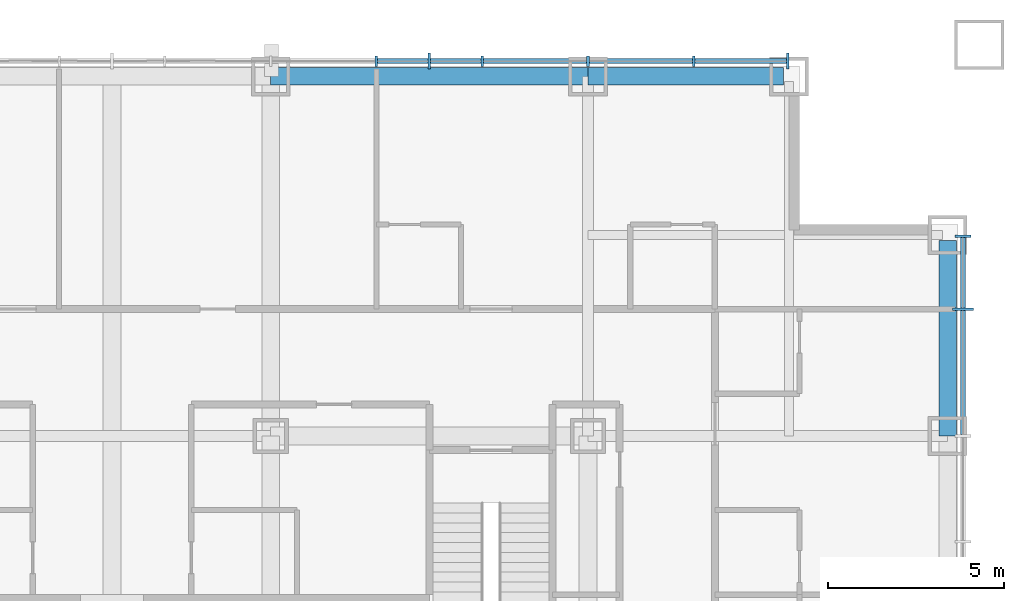
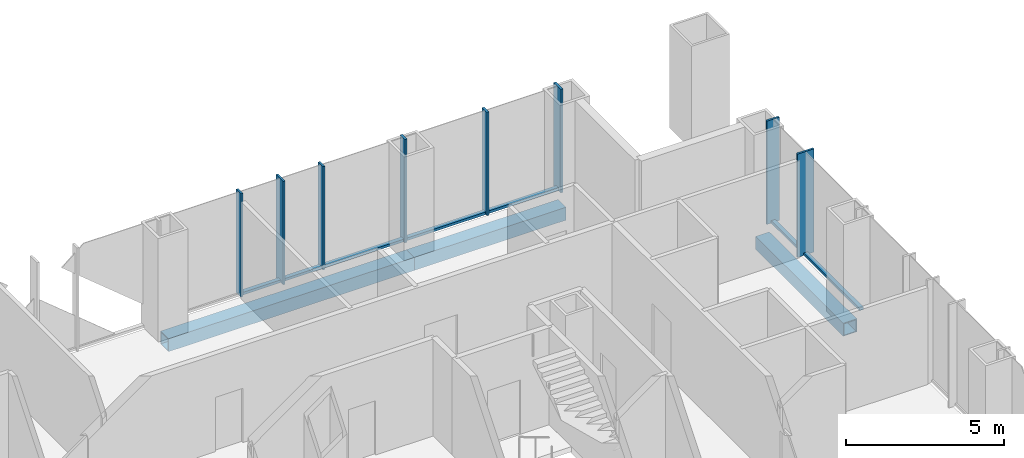
# One storey, part 6 of 16: 15 members, 3 beams, 2 elements without a shape of their own.
"""IFC4 building model written with IfcOpenShell, lengths in metres."""

from ifc_helpers import new_model, si_unit, direction, frame, origin, origin_2d, place, context, subcontext, project, spatial, rectangle, hollow_rectangle, extrude, material, layer, layer_set, material_profile, profile_set, type_object, element, aggregate, save


model = new_model("IFC4")

# Units and contexts
model_context = context("Model", 3, precision=1e-05, world=origin(), true_north=direction((0.0, 1.0)))
body_context = subcontext(model_context, "Body", "Model", "MODEL_VIEW")
ifc_project = project(units=[si_unit("LENGTHUNIT", "METRE"), si_unit("AREAUNIT", "SQUARE_METRE"), si_unit("VOLUMEUNIT", "CUBIC_METRE"), si_unit("PLANEANGLEUNIT", "RADIAN"), si_unit("MASSUNIT", "GRAM", prefix="KILO")], contexts=[model_context])

# Site, building, storey
site_placement = place(None, origin())
site = spatial("IfcSite", under=ifc_project, at=site_placement, CompositionType="ELEMENT")
building_placement = place(site_placement, origin())
building = spatial("IfcBuilding", under=site, at=building_placement, Name="Malebo Sky Hospital", CompositionType="ELEMENT")
storey_placement = place(building_placement, frame((0.0, 0.0, 116.0)))
storey = spatial("IfcBuildingStorey", under=building, at=storey_placement, Name="L27", CompositionType="ELEMENT", Elevation=116.0)

# Curtain wall, members
ifc_material_1 = material(Name="Anodised aluminium, natural silver", Category="aluminium")
ifc_layer_1 = layer(ifc_material_1, 0.25)
ifc_layer_set_1 = layer_set([ifc_layer_1], Name="WARD CURTAIN WALL NORTH AND SOUTH")
curtain_wall_type_1 = type_object("IfcCurtainWallType", Name="WARD CURTAIN WALL NORTH AND SOUTH", PredefinedType="NOTDEFINED", material=ifc_layer_set_1)
curtain_wall_1_placement = place(storey_placement, origin())
curtain_wall_1 = element("IfcCurtainWall", 1, at=curtain_wall_1_placement, inside=storey, type_object=curtain_wall_type_1, Name="NS curtain wall N", PredefinedType="NOTDEFINED")
ifc_material_profile_1 = material_profile(ifc_material_1, rectangle(XDim=0.14990234375, YDim=0.10009765625, at=origin_2d()), Name="ALUMINIUM TRANSOM 150x100")
ifc_profile_set_1 = profile_set([ifc_material_profile_1], Name="Anodised aluminium, natural silver")
member_type_1 = type_object("IfcMemberType", Name="ALUMINIUM TRANSOM 150x100", PredefinedType="USERDEFINED", material=ifc_profile_set_1)
member_1_placement = place(storey_placement, frame((67.53759765625, 86.135009765625, 0.050048828125), z_axis=(1.0, 0.0, 0.0), x_axis=(0.0, 1.0, 0.0)))
member_1 = element("IfcMember", 2, at=member_1_placement, type_object=member_type_1, Name="Transom 13", ObjectType="TRANSOM", PredefinedType="USERDEFINED", context=body_context, shape_type="SweptSolid", body=[
    extrude(rectangle(XDim=0.14990234375, YDim=0.10009765625, at=origin_2d()), origin(), (0.0, 0.0, 1.0), 1.4248046875),
])
member_2_placement = place(storey_placement, frame((69.03759765625, 86.135009765625, 0.050048828125), z_axis=(1.0, 0.0, 0.0), x_axis=(0.0, 1.0, 0.0)))
member_2 = element("IfcMember", 3, at=member_2_placement, type_object=member_type_1, Name="Transom 14", ObjectType="TRANSOM", PredefinedType="USERDEFINED", context=body_context, shape_type="SweptSolid", body=[
    extrude(rectangle(XDim=0.14990234375, YDim=0.10009765625, at=origin_2d()), origin(), (0.0, 0.0, 1.0), 1.4248046875),
])
member_3_placement = place(storey_placement, frame((70.53759765625, 86.135009765625, 0.050048828125), z_axis=(1.0, 0.0, 0.0), x_axis=(0.0, 1.0, 0.0)))
member_3 = element("IfcMember", 4, at=member_3_placement, type_object=member_type_1, Name="Transom 15", ObjectType="TRANSOM", PredefinedType="USERDEFINED", context=body_context, shape_type="SweptSolid", body=[
    extrude(rectangle(XDim=0.14990234375, YDim=0.10009765625, at=origin_2d()), origin(), (0.0, 0.0, 1.0), 2.9248046875),
])
member_4_placement = place(storey_placement, frame((73.53759765625, 86.135009765625, 0.050048828125), z_axis=(1.0, 0.0, 0.0), x_axis=(0.0, 1.0, 0.0)))
member_4 = element("IfcMember", 5, at=member_4_placement, type_object=member_type_1, Name="Transom 16", ObjectType="TRANSOM", PredefinedType="USERDEFINED", context=body_context, shape_type="SweptSolid", body=[
    extrude(rectangle(XDim=0.14990234375, YDim=0.10009765625, at=origin_2d()), origin(), (0.0, 0.0, 1.0), 2.9248046875),
])
member_5_placement = place(storey_placement, frame((76.53759765625, 86.135009765625, 0.050048828125), z_axis=(1.0, 0.0, 0.0), x_axis=(0.0, 1.0, 0.0)))
member_5 = element("IfcMember", 6, at=member_5_placement, type_object=member_type_1, Name="Transom 17", ObjectType="TRANSOM", PredefinedType="USERDEFINED", context=body_context, shape_type="SweptSolid", body=[
    extrude(rectangle(XDim=0.14990234375, YDim=0.10009765625, at=origin_2d()), origin(), (0.0, 0.0, 1.0), 2.58740234375),
])

ifc_layer_2 = layer(ifc_material_1, 0.25)
ifc_layer_set_2 = layer_set([ifc_layer_2], Name="WARD CURTAIN WALL EAST AND WEST")
curtain_wall_type_2 = type_object("IfcCurtainWallType", Name="WARD CURTAIN WALL EAST AND WEST", PredefinedType="NOTDEFINED", material=ifc_layer_set_2)
curtain_wall_2_placement = place(storey_placement, origin())
curtain_wall_2 = element("IfcCurtainWall", 7, at=curtain_wall_2_placement, inside=storey, type_object=curtain_wall_type_2, Name="EW curtain wall E", PredefinedType="NOTDEFINED")
member_6_placement = place(storey_placement, frame((84.135009765625, 81.125, 0.050048828125), z_axis=(0.0, -1.0, 0.0), x_axis=(1.0, 0.0, 0.0)))
member_6 = element("IfcMember", 8, at=member_6_placement, type_object=member_type_1, Name="Transom 1", ObjectType="TRANSOM", PredefinedType="USERDEFINED", context=body_context, shape_type="SweptSolid", body=[
    extrude(rectangle(XDim=0.14990234375, YDim=0.10009765625, at=origin_2d()), origin(), (0.0, 0.0, 1.0), 1.987548828125),
])
member_7_placement = place(storey_placement, frame((84.135009765625, 79.0625, 0.050048828125), z_axis=(0.0, -1.0, 0.0), x_axis=(1.0, 0.0, 0.0)))
member_7 = element("IfcMember", 9, at=member_7_placement, type_object=member_type_1, Name="Transom 2", ObjectType="TRANSOM", PredefinedType="USERDEFINED", context=body_context, shape_type="SweptSolid", body=[
    extrude(rectangle(XDim=0.14990234375, YDim=0.10009765625, at=origin_2d()), origin(), (0.0, 0.0, 1.0), 3.52490234375),
])

# Member
ifc_material_profile_2 = material_profile(ifc_material_1, rectangle(XDim=0.074951171875, YDim=0.300048828125, at=origin_2d()), Name="CW1 ALUMINIUM FIN MULLION 75x300")
ifc_profile_set_2 = profile_set([ifc_material_profile_2], Name="Anodised aluminium, natural silver")
member_type_2 = type_object("IfcMemberType", Name="CW1 ALUMINIUM FIN MULLION 75x300", PredefinedType="MULLION", material=ifc_profile_set_2)
member_8_placement = place(storey_placement, frame((67.5, 86.135009765625, 0.0), z_axis=(0.0, 0.0, 1.0), x_axis=(1.0, 0.0, 0.0)))
member_8 = element("IfcMember", 10, at=member_8_placement, type_object=member_type_2, Name="Fin mullion 13", PredefinedType="MULLION", context=body_context, shape_type="SweptSolid", body=[
    extrude(rectangle(XDim=0.074951171875, YDim=0.300048828125, at=origin_2d()), origin(), (0.0, 0.0, 1.0), 4.0),
])

member_9_placement = place(storey_placement, frame((70.5, 86.135009765625, 0.0), z_axis=(0.0, 0.0, 1.0), x_axis=(1.0, 0.0, 0.0)))
member_9 = element("IfcMember", 11, at=member_9_placement, type_object=member_type_2, Name="Fin mullion 15", PredefinedType="MULLION", context=body_context, shape_type="SweptSolid", body=[
    extrude(rectangle(XDim=0.074951171875, YDim=0.300048828125, at=origin_2d()), origin(), (0.0, 0.0, 1.0), 4.0),
])

member_10_placement = place(storey_placement, frame((73.5, 86.135009765625, 0.0), z_axis=(0.0, 0.0, 1.0), x_axis=(1.0, 0.0, 0.0)))
member_10 = element("IfcMember", 12, at=member_10_placement, type_object=member_type_2, Name="Fin mullion 16", PredefinedType="MULLION", context=body_context, shape_type="SweptSolid", body=[
    extrude(rectangle(XDim=0.074951171875, YDim=0.300048828125, at=origin_2d()), origin(), (0.0, 0.0, 1.0), 4.0),
])

member_11_placement = place(storey_placement, frame((76.5, 86.135009765625, 0.0), z_axis=(0.0, 0.0, 1.0), x_axis=(1.0, 0.0, 0.0)))
member_11 = element("IfcMember", 13, at=member_11_placement, type_object=member_type_2, Name="Fin mullion 17", PredefinedType="MULLION", context=body_context, shape_type="SweptSolid", body=[
    extrude(rectangle(XDim=0.074951171875, YDim=0.300048828125, at=origin_2d()), origin(), (0.0, 0.0, 1.0), 4.0),
])

ifc_material_profile_3 = material_profile(ifc_material_1, rectangle(XDim=0.074951171875, YDim=0.449951171875, at=origin_2d()), Name="CW1 ALUMINIUM FIN MULLION 75x450")
ifc_profile_set_3 = profile_set([ifc_material_profile_3], Name="Anodised aluminium, natural silver")
member_type_3 = type_object("IfcMemberType", Name="CW1 ALUMINIUM FIN MULLION 75x450", PredefinedType="MULLION", material=ifc_profile_set_3)
member_12_placement = place(storey_placement, frame((69.0, 86.135009765625, 0.0), z_axis=(0.0, 0.0, 1.0), x_axis=(1.0, 0.0, 0.0)))
member_12 = element("IfcMember", 14, at=member_12_placement, type_object=member_type_3, Name="Fin mullion 14", PredefinedType="MULLION", context=body_context, shape_type="SweptSolid", body=[
    extrude(rectangle(XDim=0.074951171875, YDim=0.449951171875, at=origin_2d()), origin(), (0.0, 0.0, 1.0), 4.0),
])

member_13_placement = place(storey_placement, frame((79.16259765625, 86.135009765625, 0.0), z_axis=(0.0, 0.0, 1.0), x_axis=(1.0, 0.0, 0.0)))
member_13 = element("IfcMember", 15, at=member_13_placement, type_object=member_type_3, Name="Fin mullion 18", PredefinedType="MULLION", context=body_context, shape_type="SweptSolid", body=[
    extrude(rectangle(XDim=0.074951171875, YDim=0.449951171875, at=origin_2d()), origin(), (0.0, 0.0, 1.0), 4.0),
])

aggregate(curtain_wall_1, [member_8, member_12, member_9, member_10, member_11, member_13, member_1, member_2, member_3, member_4, member_5])

ifc_material_profile_4 = material_profile(ifc_material_1, rectangle(XDim=0.074951171875, YDim=0.449951171875, at=origin_2d()), Name="CW2 ALUMINIUM FIN MULLION 75x450")
ifc_profile_set_4 = profile_set([ifc_material_profile_4], Name="Anodised aluminium, natural silver")
member_type_4 = type_object("IfcMemberType", Name="CW2 ALUMINIUM FIN MULLION 75x450", PredefinedType="MULLION", material=ifc_profile_set_4)
member_14_placement = place(storey_placement, frame((84.135009765625, 81.16259765625, 0.0), z_axis=(0.0, 0.0, 1.0), x_axis=(0.0, -1.0, 0.0)))
member_14 = element("IfcMember", 16, at=member_14_placement, type_object=member_type_4, Name="Fin mullion 1", PredefinedType="MULLION", context=body_context, shape_type="SweptSolid", body=[
    extrude(rectangle(XDim=0.074951171875, YDim=0.449951171875, at=origin_2d()), origin(), (0.0, 0.0, 1.0), 4.0),
])

ifc_material_profile_5 = material_profile(ifc_material_1, rectangle(XDim=0.074951171875, YDim=0.60009765625, at=origin_2d()), Name="CW2 ALUMINIUM FIN MULLION 75x600")
ifc_profile_set_5 = profile_set([ifc_material_profile_5], Name="Anodised aluminium, natural silver")
member_type_5 = type_object("IfcMemberType", Name="CW2 ALUMINIUM FIN MULLION 75x600", PredefinedType="MULLION", material=ifc_profile_set_5)
member_15_placement = place(storey_placement, frame((84.135009765625, 79.10009765625, 0.0), z_axis=(0.0, 0.0, 1.0), x_axis=(0.0, -1.0, 0.0)))
member_15 = element("IfcMember", 17, at=member_15_placement, type_object=member_type_5, Name="Fin mullion 2", PredefinedType="MULLION", context=body_context, shape_type="SweptSolid", body=[
    extrude(rectangle(XDim=0.074951171875, YDim=0.60009765625, at=origin_2d()), origin(), (0.0, 0.0, 1.0), 4.0),
])

aggregate(curtain_wall_2, [member_14, member_15, member_6, member_7])

# Beams
ifc_material_2 = material(Name="Steel S460", Category="steel")
ifc_material_profile_6 = material_profile(ifc_material_2, hollow_rectangle(XDim=0.5, YDim=0.5, WallThickness=0.030029296875, at=origin_2d()), Name="BOX 500x500x30")
ifc_profile_set_6 = profile_set([ifc_material_profile_6], Name="Steel S460")
beam_type = type_object("IfcBeamType", Name="EDGE BEAM BOX 500x500x30", PredefinedType="BEAM", material=ifc_profile_set_6)
beam_1_placement = place(storey_placement, frame((83.699951171875, 75.5, -0.5), z_axis=(0.0, 1.0, 0.0), x_axis=(-1.0, 0.0, 0.0)))
element("IfcBeam", 18, at=beam_1_placement, inside=storey, type_object=beam_type, Name="Beam 033 L27", PredefinedType="BEAM", context=body_context, shape_type="SweptSolid", body=[
    extrude(hollow_rectangle(XDim=0.5, YDim=0.5, WallThickness=0.030029296875, at=origin_2d()), origin(), (0.0, 0.0, 1.0), 5.550048828125),
])
beam_2_placement = place(storey_placement, frame((64.5, 85.699951171875, -0.5), z_axis=(1.0, 0.0, 0.0), x_axis=(0.0, 1.0, 0.0)))
element("IfcBeam", 19, at=beam_2_placement, inside=storey, type_object=beam_type, Name="Beam 066 L27", PredefinedType="BEAM", context=body_context, shape_type="SweptSolid", body=[
    extrude(hollow_rectangle(XDim=0.5, YDim=0.5, WallThickness=0.030029296875, at=origin_2d()), origin(), (0.0, 0.0, 1.0), 9.0),
])
beam_3_placement = place(storey_placement, frame((73.5, 85.699951171875, -0.5), z_axis=(1.0, 0.0, 0.0), x_axis=(0.0, 1.0, 0.0)))
element("IfcBeam", 20, at=beam_3_placement, inside=storey, type_object=beam_type, Name="Beam 067 L27", PredefinedType="BEAM", context=body_context, shape_type="SweptSolid", body=[
    extrude(hollow_rectangle(XDim=0.5, YDim=0.5, WallThickness=0.030029296875, at=origin_2d()), origin(), (0.0, 0.0, 1.0), 5.550048828125),
])

save(model, "model.ifc")
